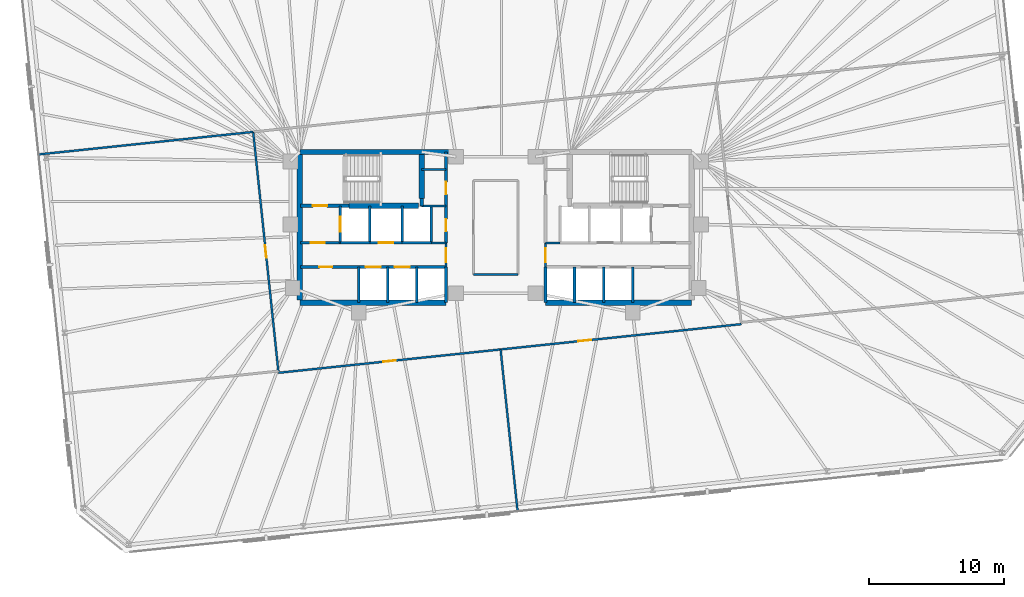
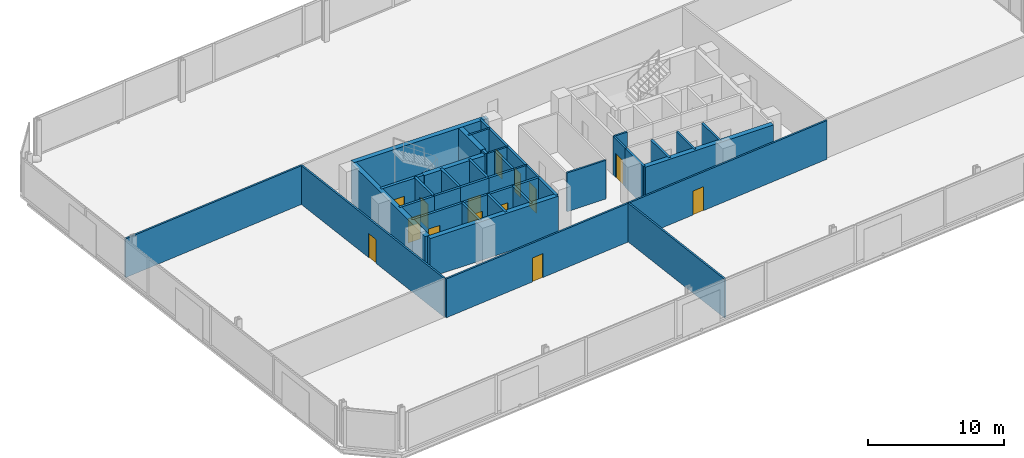
# One storey, part 14 of 17: 38 walls, 14 doors, 14 openings.
"""IFC4 building model written with IfcOpenShell, lengths in metres."""

import ifcopenshell
import ifcopenshell.guid

model = None  # the IFC model being written
_history = None  # IfcOwnerHistory: only IFC2X3 demands one
_inside = {}  # id of a spatial element -> (the spatial element, [elements in it])
_under = {}  # id of a project, library or spatial element -> (it, [spatial elements below it])
_declared = {}  # id of a project -> (the project, [libraries it declares])
_typed = {}  # id of a type object -> (the type object, [elements of that type])
_made_of = {}  # id of a material, layer set ... -> (it, [elements and type objects made of it])


def new_model(schema):
    """Start an empty IFC model of exactly this schema.

    Asked for "IFC4X3", IfcOpenShell would pick the latest addendum, in which some entities
    have other attributes; the version numbers below select the first issue.
    IFC2X3 requires an IfcOwnerHistory on every rooted entity: one is made here for all.
    """
    global model, _history
    if schema == "IFC4X3":
        model = ifcopenshell.file(schema_version=(4, 3, 0, 0))
    else:
        model = ifcopenshell.file(schema=schema)
    _inside.clear()
    _under.clear()
    _declared.clear()
    _typed.clear()
    _made_of.clear()
    _history = None
    if model.schema == "IFC2X3":
        org = make("IfcOrganization", Name="unknown")
        user = make(
            "IfcPersonAndOrganization",
            ThePerson=make("IfcPerson", FamilyName="unknown"),
            TheOrganization=org,
        )
        app = make(
            "IfcApplication",
            ApplicationDeveloper=org,
            Version="unknown",
            ApplicationFullName="unknown",
            ApplicationIdentifier="unknown",
        )
        _history = make(
            "IfcOwnerHistory",
            OwningUser=user,
            OwningApplication=app,
            ChangeAction="ADDED",
            CreationDate=0,
        )
    return model


def make(cls, **values):
    """One entity of the class cls with the attributes given. An attribute that is None is left unset."""
    return model.create_entity(
        cls, **{name: value for name, value in values.items() if value is not None}
    )


def rooted(cls, **values):
    """An entity with a GlobalId (a new one), such as an element, a storey or a relation."""
    return make(cls, GlobalId=ifcopenshell.guid.new(), OwnerHistory=_history, **values)


def si_unit(unit_type, name, prefix=None):
    """IfcSIUnit, for example si_unit("LENGTHUNIT", "METRE", prefix="MILLI")."""
    return make("IfcSIUnit", UnitType=unit_type, Prefix=prefix, Name=name)


def assignment(units):
    """IfcUnitAssignment: the units of a project."""
    return None if units is None else make("IfcUnitAssignment", Units=units)


def point(xyz):
    """IfcCartesianPoint."""
    return None if xyz is None else make("IfcCartesianPoint", Coordinates=xyz)


def direction(xyz):
    """IfcDirection."""
    return None if xyz is None else make("IfcDirection", DirectionRatios=xyz)


def frame(location, z_axis=None, x_axis=None):
    """IfcAxis2Placement3D, a coordinate frame: its origin and axes. An axis left out is left unset."""
    return make(
        "IfcAxis2Placement3D",
        Location=point(location),
        Axis=direction(z_axis),
        RefDirection=direction(x_axis),
    )


def frame_2d(location, x_axis=None):
    """IfcAxis2Placement2D, a coordinate frame in the plane: its origin and x axis."""
    return make(
        "IfcAxis2Placement2D", Location=point(location), RefDirection=direction(x_axis)
    )


def origin():
    """The frame at (0, 0, 0) with its axes left unset."""
    return frame((0.0, 0.0, 0.0))


def place(relative_to, where):
    """IfcLocalPlacement: puts the frame where relative to a parent placement (None: the world)."""
    return make(
        "IfcLocalPlacement", PlacementRelTo=relative_to, RelativePlacement=where
    )


def context(
    kind, dimensions, precision=None, world=None, true_north=None, identifier=None
):
    """IfcGeometricRepresentationContext, for example the 3D "Model" context."""
    return make(
        "IfcGeometricRepresentationContext",
        ContextIdentifier=identifier,
        ContextType=kind,
        CoordinateSpaceDimension=dimensions,
        Precision=precision,
        WorldCoordinateSystem=world,
        TrueNorth=true_north,
    )


def subcontext(parent, identifier, kind, view, scale=None):
    """IfcGeometricRepresentationSubContext, for example "Body" below "Model"."""
    return make(
        "IfcGeometricRepresentationSubContext",
        ContextIdentifier=identifier,
        ContextType=kind,
        ParentContext=parent,
        TargetScale=scale,
        TargetView=view,
    )


def project(units=None, contexts=None):
    """IfcProject with its units and contexts."""
    return rooted(
        "IfcProject",
        Name="project",
        RepresentationContexts=contexts,
        UnitsInContext=assignment(units),
    )


def spatial(cls, under=None, at=None, **own):
    """A site, building, storey or space (cls), placed at a placement, below another one or the project."""
    s = rooted(cls, ObjectPlacement=at, **own)
    if under is not None:
        _under.setdefault(under.id(), (under, []))[1].append(s)
    return s


def profile(cls, at=None, kind="AREA", **sizes):
    """A parametric profile (cls). Its sizes go by their IFC names, for example OverallWidth=200.0."""
    return make(cls, ProfileType=kind, Position=at, **sizes)


def rectangle(**sizes):
    """IfcRectangleProfileDef."""
    return profile("IfcRectangleProfileDef", **sizes)


def extrude(swept, where, along, depth):
    """IfcExtrudedAreaSolid: the profile swept, set in the frame where, extruded along a direction by depth."""
    return make(
        "IfcExtrudedAreaSolid",
        SweptArea=swept,
        Position=where,
        ExtrudedDirection=direction(along),
        Depth=depth,
    )


def shape(context_of_items, identifier, shape_type, items):
    """IfcShapeRepresentation: the items that make up one representation, for example the "Body"."""
    return make(
        "IfcShapeRepresentation",
        ContextOfItems=context_of_items,
        RepresentationIdentifier=identifier,
        RepresentationType=shape_type,
        Items=items,
    )


def material(Name=None, Category=None):
    """IfcMaterial."""
    return make("IfcMaterial", Name=Name, Category=Category)


def layer(
    of_material, thickness, ventilated=None, Name=None, Category=None, Priority=None
):
    """IfcMaterialLayer: one layer of a wall or slab, of a material (None: an air gap)."""
    return make(
        "IfcMaterialLayer",
        Material=of_material,
        LayerThickness=thickness,
        IsVentilated=ventilated,
        Name=Name,
        Category=Category,
        Priority=Priority,
    )


def layer_set(layers, Name=None):
    """IfcMaterialLayerSet."""
    return make("IfcMaterialLayerSet", MaterialLayers=layers, LayerSetName=Name)


def made_of(thing, what):
    """Note that an element or type object is made of a material, layer set ...; save() writes the relation."""
    if what is not None:
        _made_of.setdefault(what.id(), (what, []))[1].append(thing)
    return thing


def type_object(cls, material=None, **own):
    """A type object (cls), such as IfcWallType, which elements share."""
    return made_of(rooted(cls, **own), material)


def element(
    cls,
    number,
    at=None,
    inside=None,
    cuts=None,
    type_object=None,
    material=None,
    context=None,
    identifier="Body",
    shape_type=None,
    held_by="IfcProductDefinitionShape",
    body=None,
    shapes=None,
    **own,
):
    """One element of the class cls, such as IfcWall. Its Tag is "e" and its number.

    at: its placement. inside: the storey or other place that contains it. cuts: it is an
    opening in that element (IfcRelVoidsElement). A single representation is given by context,
    identifier, shape_type and body (its items); several are given by shapes. held_by: the class
    of the entity that holds the representations. save() writes the other relations.
    """
    e = rooted(cls, Tag="e%d" % number, ObjectPlacement=at, **own)
    if body is not None:
        shapes = [shape(context, identifier, shape_type, body)]
    if shapes is not None:
        e.Representation = make(held_by, Representations=shapes)
    if inside is not None:
        _inside.setdefault(inside.id(), (inside, []))[1].append(e)
    if cuts is not None:
        rooted(
            "IfcRelVoidsElement", RelatingBuildingElement=cuts, RelatedOpeningElement=e
        )
    if type_object is not None:
        _typed.setdefault(type_object.id(), (type_object, []))[1].append(e)
    return made_of(e, material)


def fill(opening, filler):
    """IfcRelFillsElement: the door or window that sits in an opening."""
    return rooted(
        "IfcRelFillsElement",
        RelatingOpeningElement=opening,
        RelatedBuildingElement=filler,
    )


def aggregate(whole, parts):
    """IfcRelAggregates: a whole, such as a stair, and the parts it consists of."""
    return rooted("IfcRelAggregates", RelatingObject=whole, RelatedObjects=parts)


def save(model, path):
    """Write the relations noted so far, then the file.

    IfcRelAggregates (storeys below a building ...), IfcRelContainedInSpatialStructure (elements
    in a storey), IfcRelDefinesByType, IfcRelAssociatesMaterial and IfcRelDeclares: one each for
    every whole, place, type object, material and project.
    """
    for whole, parts in _under.values():
        aggregate(whole, parts)
    for where, things in _inside.values():
        rooted(
            "IfcRelContainedInSpatialStructure",
            RelatedElements=things,
            RelatingStructure=where,
        )
    for kind, things in _typed.values():
        rooted("IfcRelDefinesByType", RelatedObjects=things, RelatingType=kind)
    for what, things in _made_of.values():
        rooted("IfcRelAssociatesMaterial", RelatedObjects=things, RelatingMaterial=what)
    for by, libraries in _declared.values():
        rooted("IfcRelDeclares", RelatingContext=by, RelatedDefinitions=libraries)
    model.write(path)


model = new_model("IFC4")

# Units and contexts
model_context = context("Model", 3, precision=1e-05, world=origin(), true_north=direction((0.0, 1.0)))
body_context = subcontext(model_context, "Body", "Model", "MODEL_VIEW")
ifc_project = project(units=[si_unit("LENGTHUNIT", "METRE"), si_unit("AREAUNIT", "SQUARE_METRE"), si_unit("VOLUMEUNIT", "CUBIC_METRE"), si_unit("PLANEANGLEUNIT", "RADIAN"), si_unit("MASSUNIT", "GRAM", prefix="KILO")], contexts=[model_context])

# Site, building, storey
site_placement = place(None, origin())
site = spatial("IfcSite", under=ifc_project, at=site_placement, CompositionType="ELEMENT")
building_placement = place(site_placement, origin())
building = spatial("IfcBuilding", under=site, at=building_placement, Name="Menara Jurai Vektor", CompositionType="ELEMENT")
storey_placement = place(building_placement, frame((0.0, 0.0, 109.60009765625)))
storey = spatial("IfcBuildingStorey", under=building, at=storey_placement, Name="L27", CompositionType="ELEMENT", Elevation=109.60009765625)

# Wall, opening, door
ifc_material_1 = material(Name="Concrete C40/50", Category="concrete")
ifc_layer_1 = layer(ifc_material_1, 0.25)
ifc_layer_set_1 = layer_set([ifc_layer_1], Name="Concrete C40/50")
wall_type_1 = type_object("IfcWallType", Name="INT-WALL-CORE-250", PredefinedType="STANDARD", material=ifc_layer_set_1)
wall_1_placement = place(storey_placement, frame((-14.5, 1.60009765625, 0.0), z_axis=(0.0, 0.0, 1.0), x_axis=(1.0, 0.0, 0.0)))
wall_1 = element("IfcWall", 1, at=wall_1_placement, inside=storey, type_object=wall_type_1, Name="Interior Wall IW-250 L27", PredefinedType="STANDARD", context=body_context, shape_type="SweptSolid", body=[
    extrude(rectangle(XDim=3.60009765625, YDim=0.25, at=frame_2d((1.800048828125, 0.0))), origin(), (0.0, 0.0, 1.0), 3.474853515625),
])
opening_1_placement = place(wall_1_placement, frame((0.919921875, 0.0, 0.0)))
opening_1 = element("IfcOpeningElement", 2, at=opening_1_placement, cuts=wall_1, Name="Opening D-L27-ST1", PredefinedType="OPENING", context=body_context, shape_type="SweptSolid", body=[
    extrude(rectangle(XDim=1.050048828125, YDim=2.14990234375, at=frame_2d((0.52490234375, 1.074951171875))), frame((0.0, 0.135009765625, 0.0), z_axis=(0.0, -1.0, 0.0), x_axis=(1.0, 0.0, 0.0)), (0.0, 0.0, 1.0), 0.27001953125),
])
ifc_material_2 = material(Name="Fire-Rated Steel Door", Category="steel")
door_type_1 = type_object("IfcDoorType", Name="DR-STAIR-1050", OperationType="NOTDEFINED", PredefinedType="DOOR", material=ifc_material_2)
door_1_placement = place(opening_1_placement, origin())
door_1 = element("IfcDoor", 3, at=door_1_placement, inside=storey, type_object=door_type_1, Name="Exit Stair ST1 Door L27", OperationType="SINGLE_SWING_RIGHT", OverallHeight=2.14990234375, OverallWidth=1.050048828125, PredefinedType="DOOR", context=body_context, shape_type="SweptSolid", body=[
    extrude(rectangle(XDim=1.050048828125, YDim=2.14990234375, at=frame_2d((0.52490234375, 1.074951171875))), frame((0.0, 0.02490234375, 0.0), z_axis=(0.0, -1.0, 0.0), x_axis=(1.0, 0.0, 0.0)), (0.0, 0.0, 1.0), 0.050048828125),
])
fill(opening_1, door_1)

# Wall
wall_2_placement = place(storey_placement, frame((-5.5, 1.60009765625, 0.0), z_axis=(0.0, 0.0, 1.0), x_axis=(0.0, 1.0, 0.0)))
element("IfcWall", 4, at=wall_2_placement, inside=storey, type_object=wall_type_1, Name="Interior Wall IW-250 L27", PredefinedType="STANDARD", context=body_context, shape_type="SweptSolid", body=[
    extrude(rectangle(XDim=0.5498046875, YDim=0.25, at=frame_2d((0.27490234375, 0.0))), origin(), (0.0, 0.0, 1.0), 3.474853515625),
])

# Wall, opening, door
wall_3_placement = place(storey_placement, frame((-11.550048828125, -1.14990234375, 0.0), z_axis=(0.0, 0.0, 1.0), x_axis=(0.0, 1.0, 0.0)))
wall_3 = element("IfcWall", 5, at=wall_3_placement, inside=storey, type_object=wall_type_1, Name="Interior Wall IW-250 L27", PredefinedType="STANDARD", context=body_context, shape_type="SweptSolid", body=[
    extrude(rectangle(XDim=2.75, YDim=0.199951171875, at=frame_2d((1.375, 0.0))), origin(), (0.0, 0.0, 1.0), 3.474853515625),
])
opening_2_placement = place(wall_3_placement, frame((0.824951171875, 0.0, 0.0)))
opening_2 = element("IfcOpeningElement", 6, at=opening_2_placement, cuts=wall_3, Name="Opening LD-L27-FL1", PredefinedType="OPENING", context=body_context, shape_type="SweptSolid", body=[
    extrude(rectangle(XDim=1.10009765625, YDim=2.14990234375, at=frame_2d((0.550048828125, 1.074951171875))), frame((0.0, 0.10986328125, 0.0), z_axis=(0.0, -1.0, 0.0), x_axis=(1.0, 0.0, 0.0)), (0.0, 0.0, 1.0), 0.219970703125),
])
ifc_material_3 = material(Name="Stainless Steel Sliding Lift Landing Door", Category="steel")
door_type_2 = type_object("IfcDoorType", Name="DR-LIFT-FIRE-1100", OperationType="NOTDEFINED", PredefinedType="DOOR", material=ifc_material_3)
door_2_placement = place(opening_2_placement, origin())
door_2 = element("IfcDoor", 7, at=door_2_placement, inside=storey, type_object=door_type_2, Name="Lift Landing Door FL1 L27", OperationType="SLIDING_TO_RIGHT", OverallHeight=2.14990234375, OverallWidth=1.10009765625, PredefinedType="DOOR", context=body_context, shape_type="SweptSolid", body=[
    extrude(rectangle(XDim=1.10009765625, YDim=2.14990234375, at=frame_2d((0.550048828125, 1.074951171875))), frame((0.0, 0.02490234375, 0.0), z_axis=(0.0, -1.0, 0.0), x_axis=(1.0, 0.0, 0.0)), (0.0, 0.0, 1.0), 0.050048828125),
])
fill(opening_2, door_2)

# Wall
wall_4_placement = place(storey_placement, frame((-9.35009765625, -1.14990234375, 0.0), z_axis=(0.0, 0.0, 1.0), x_axis=(0.0, 1.0, 0.0)))
element("IfcWall", 8, at=wall_4_placement, inside=storey, type_object=wall_type_1, Name="Interior Wall IW-250 L27", PredefinedType="STANDARD", context=body_context, shape_type="SweptSolid", body=[
    extrude(rectangle(XDim=2.75, YDim=0.199951171875, at=frame_2d((1.375, 0.0))), origin(), (0.0, 0.0, 1.0), 3.474853515625),
])

# Wall, opening, door
wall_5_placement = place(storey_placement, frame((-14.5, -1.14990234375, 0.0), z_axis=(0.0, 0.0, 1.0), x_axis=(1.0, 0.0, 0.0)))
wall_5 = element("IfcWall", 9, at=wall_5_placement, inside=storey, type_object=wall_type_1, Name="Interior Wall IW-250 L27", PredefinedType="STANDARD", context=body_context, shape_type="SweptSolid", body=[
    extrude(rectangle(XDim=2.949951171875, YDim=0.199951171875, at=frame_2d((1.47509765625, 0.0))), origin(), (0.0, 0.0, 1.0), 3.474853515625),
])
opening_3_placement = place(wall_5_placement, frame((0.75, 0.0, 0.0)))
opening_3 = element("IfcOpeningElement", 10, at=opening_3_placement, cuts=wall_5, Name="Opening D-L27-FFW", PredefinedType="OPENING", context=body_context, shape_type="SweptSolid", body=[
    extrude(rectangle(XDim=1.050048828125, YDim=2.179931640625, at=frame_2d((0.52490234375, 1.08984375))), frame((0.0, 0.10986328125, 0.0), z_axis=(0.0, -1.0, 0.0), x_axis=(1.0, 0.0, 0.0)), (0.0, 0.0, 1.0), 0.219970703125),
])
ifc_material_4 = material(Name="Fire-Rated Timber Door", Category="wood")
door_type_3 = type_object("IfcDoorType", Name="DR-LOBBY-1050", OperationType="NOTDEFINED", PredefinedType="DOOR", material=ifc_material_4)
door_3_placement = place(opening_3_placement, origin())
door_3 = element("IfcDoor", 11, at=door_3_placement, inside=storey, type_object=door_type_3, Name="Fire Lift Lobby Door W L27", OperationType="SINGLE_SWING_RIGHT", OverallHeight=2.179931640625, OverallWidth=1.050048828125, PredefinedType="DOOR", context=body_context, shape_type="SweptSolid", body=[
    extrude(rectangle(XDim=1.050048828125, YDim=2.179931640625, at=frame_2d((0.52490234375, 1.08984375))), frame((0.0, 0.02490234375, 0.0), z_axis=(0.0, -1.0, 0.0), x_axis=(1.0, 0.0, 0.0)), (0.0, 0.0, 1.0), 0.050048828125),
])
fill(opening_3, door_3)

# Wall
wall_6_placement = place(storey_placement, frame((-11.550048828125, -1.14990234375, 0.0), z_axis=(0.0, 0.0, 1.0), x_axis=(1.0, 0.0, 0.0)))
element("IfcWall", 12, at=wall_6_placement, inside=storey, type_object=wall_type_1, Name="Interior Wall IW-250 L27", PredefinedType="STANDARD", context=body_context, shape_type="SweptSolid", body=[
    extrude(rectangle(XDim=2.199951171875, YDim=0.199951171875, at=frame_2d((1.10009765625, 0.0))), origin(), (0.0, 0.0, 1.0), 3.474853515625),
])

# Wall, opening, door
ifc_material_5 = material(Name="Gypsum Fireboard Partition", Category="gypsum")
ifc_layer_2 = layer(ifc_material_5, 0.14990234375)
ifc_layer_set_2 = layer_set([ifc_layer_2], Name="Gypsum Fireboard Partition")
wall_type_2 = type_object("IfcWallType", Name="INT-WALL-CORR-150", PredefinedType="PARTITIONING", material=ifc_layer_set_2)
wall_7_placement = place(storey_placement, frame((-3.699951171875, -2.949951171875, 0.0), z_axis=(0.0, 0.0, 1.0), x_axis=(0.0, 1.0, 0.0)))
wall_7 = element("IfcWall", 13, at=wall_7_placement, inside=storey, type_object=wall_type_2, Name="Interior Wall IW-150 L27", PredefinedType="PARTITIONING", context=body_context, shape_type="SweptSolid", body=[
    extrude(rectangle(XDim=1.800048828125, YDim=0.14990234375, at=frame_2d((0.89990234375, 0.0))), origin(), (0.0, 0.0, 1.0), 3.474853515625),
])
opening_4_placement = place(wall_7_placement, frame((0.35009765625, 0.0, 0.0)))
opening_4 = element("IfcOpeningElement", 14, at=opening_4_placement, cuts=wall_7, Name="Opening D-L27-LLW", PredefinedType="OPENING", context=body_context, shape_type="SweptSolid", body=[
    extrude(rectangle(XDim=1.050048828125, YDim=2.179931640625, at=frame_2d((0.52490234375, 1.08984375))), frame((0.0, 0.0849609375, 0.0), z_axis=(0.0, -1.0, 0.0), x_axis=(1.0, 0.0, 0.0)), (0.0, 0.0, 1.0), 0.169921875),
])
door_4_placement = place(opening_4_placement, origin())
door_4 = element("IfcDoor", 15, at=door_4_placement, inside=storey, type_object=door_type_3, Name="Lift Lobby Corridor Door W L27", OperationType="SINGLE_SWING_LEFT", OverallHeight=2.179931640625, OverallWidth=1.050048828125, PredefinedType="DOOR", context=body_context, shape_type="SweptSolid", body=[
    extrude(rectangle(XDim=1.050048828125, YDim=2.179931640625, at=frame_2d((0.52490234375, 1.08984375))), frame((0.0, 0.02490234375, 0.0), z_axis=(0.0, -1.0, 0.0), x_axis=(1.0, 0.0, 0.0)), (0.0, 0.0, 1.0), 0.050048828125),
])
fill(opening_4, door_4)

# Wall
wall_8_placement = place(storey_placement, frame((-4.7900390625, -1.14990234375, 0.0), z_axis=(0.0, 0.0, 1.0), x_axis=(1.0, 0.0, 0.0)))
element("IfcWall", 16, at=wall_8_placement, inside=storey, type_object=wall_type_2, Name="Interior Wall IW-150 L27", PredefinedType="PARTITIONING", context=body_context, shape_type="SweptSolid", body=[
    extrude(rectangle(XDim=1.090087890625, YDim=0.14990234375, at=frame_2d((0.544921875, 0.0))), origin(), (0.0, 0.0, 1.0), 3.474853515625),
])

# Wall, opening, door
wall_9_placement = place(storey_placement, frame((3.699951171875, -2.949951171875, 0.0), z_axis=(0.0, 0.0, 1.0), x_axis=(0.0, 1.0, 0.0)))
wall_9 = element("IfcWall", 17, at=wall_9_placement, inside=storey, type_object=wall_type_2, Name="Interior Wall IW-150 L27", PredefinedType="PARTITIONING", context=body_context, shape_type="SweptSolid", body=[
    extrude(rectangle(XDim=1.800048828125, YDim=0.14990234375, at=frame_2d((0.89990234375, 0.0))), origin(), (0.0, 0.0, 1.0), 3.474853515625),
])
opening_5_placement = place(wall_9_placement, frame((0.35009765625, 0.0, 0.0)))
opening_5 = element("IfcOpeningElement", 18, at=opening_5_placement, cuts=wall_9, Name="Opening D-L27-LLE", PredefinedType="OPENING", context=body_context, shape_type="SweptSolid", body=[
    extrude(rectangle(XDim=1.050048828125, YDim=2.179931640625, at=frame_2d((0.52490234375, 1.08984375))), frame((0.0, 0.0849609375, 0.0), z_axis=(0.0, -1.0, 0.0), x_axis=(1.0, 0.0, 0.0)), (0.0, 0.0, 1.0), 0.169921875),
])
door_5_placement = place(opening_5_placement, frame((1.050048828125, 0.0, 0.0), z_axis=(0.0, 0.0, 1.0), x_axis=(-1.0, 0.0, 0.0)))
door_5 = element("IfcDoor", 19, at=door_5_placement, inside=storey, type_object=door_type_3, Name="Lift Lobby Corridor Door E L27", OperationType="SINGLE_SWING_RIGHT", OverallHeight=2.179931640625, OverallWidth=1.050048828125, PredefinedType="DOOR", context=body_context, shape_type="SweptSolid", body=[
    extrude(rectangle(XDim=1.050048828125, YDim=2.179931640625, at=frame_2d((0.52490234375, 1.08984375))), frame((0.0, 0.02490234375, 0.0), z_axis=(0.0, -1.0, 0.0), x_axis=(1.0, 0.0, 0.0)), (0.0, 0.0, 1.0), 0.050048828125),
])
fill(opening_5, door_5)

# Walls
wall_10_placement = place(storey_placement, frame((3.699951171875, -1.14990234375, 0.0), z_axis=(0.0, 0.0, 1.0), x_axis=(1.0, 0.0, 0.0)))
element("IfcWall", 20, at=wall_10_placement, inside=storey, type_object=wall_type_2, Name="Interior Wall IW-150 L27", PredefinedType="PARTITIONING", context=body_context, shape_type="SweptSolid", body=[
    extrude(rectangle(XDim=1.090087890625, YDim=0.14990234375, at=frame_2d((0.544921875, 0.0))), origin(), (0.0, 0.0, 1.0), 3.474853515625),
])
for number, where, z_axis, x_axis, name in (
    (21, (-5.5, 4.300048828125, 0.0), (0.0, 0.0, 1.0), (1.0, 0.0, 0.0), "Interior Wall IW-150 L27"),
    (22, (-5.5, 1.60009765625, 0.0), (0.0, 0.0, 1.0), (1.0, 0.0, 0.0), "Interior Wall IW-150 L27"),
):
    element("IfcWall", number, at=place(storey_placement, frame(where, z_axis=z_axis, x_axis=x_axis)), inside=storey, type_object=wall_type_2, Name=name, PredefinedType="PARTITIONING", context=body_context, shape_type="SweptSolid", body=[
        extrude(rectangle(XDim=1.800048828125, YDim=0.14990234375, at=frame_2d((0.89990234375, 0.0))), origin(), (0.0, 0.0, 1.0), 3.474853515625),
    ])
wall_11_placement = place(storey_placement, frame((-1.649658203125, -3.490478515625, 0.0), z_axis=(0.0, 0.0, 1.0), x_axis=(1.0, 0.0, 0.0)))
element("IfcWall", 23, at=wall_11_placement, inside=storey, type_object=wall_type_2, Name="Interior Wall IW-150 L27", PredefinedType="PARTITIONING", context=body_context, shape_type="SweptSolid", body=[
    extrude(rectangle(XDim=3.300048828125, YDim=0.14990234375, at=frame_2d((1.64990234375, 0.0))), origin(), (0.0, 0.0, 1.0), 3.474853515625),
])

# Wall, opening, door
wall_12_placement = place(storey_placement, frame((-16.139892578125, -10.80908203125, 0.0), z_axis=(0.0, 0.0, 1.0), x_axis=(0.994521566569, 0.104531591539, 0.0)))
wall_12 = element("IfcWall", 24, at=wall_12_placement, inside=storey, type_object=wall_type_2, Name="Interior Wall IW-150 L27", PredefinedType="PARTITIONING", context=body_context, shape_type="SweptSolid", body=[
    extrude(rectangle(XDim=16.591796875, YDim=0.14990234375, at=frame_2d((8.2958984375, 0.0))), origin(), (0.0, 0.0, 1.0), 3.474853515625),
])
opening_6_placement = place(wall_12_placement, frame((7.821044921875, 0.0, 0.0)))
opening_6 = element("IfcOpeningElement", 25, at=opening_6_placement, cuts=wall_12, Name="Opening D27-08", PredefinedType="OPENING", context=body_context, shape_type="SweptSolid", body=[
    extrude(rectangle(XDim=0.949951171875, YDim=2.14990234375, at=frame_2d((0.47509765625, 1.074951171875))), frame((0.0, 0.0849609375, 0.0), z_axis=(0.0, -1.0, 0.0), x_axis=(1.0, 0.0, 0.0)), (0.0, 0.0, 1.0), 0.169921875),
])
ifc_material_6 = material(Name="Solid Core Timber Fire Door", Category="wood")
door_type_4 = type_object("IfcDoorType", Name="DR-ENTRY-950", OperationType="NOTDEFINED", PredefinedType="DOOR", material=ifc_material_6)
door_6_placement = place(opening_6_placement, origin())
door_6 = element("IfcDoor", 26, at=door_6_placement, inside=storey, type_object=door_type_4, Name="Interior Door D27-08", OperationType="SINGLE_SWING_LEFT", OverallHeight=2.14990234375, OverallWidth=0.949951171875, PredefinedType="DOOR", context=body_context, shape_type="SweptSolid", body=[
    extrude(rectangle(XDim=0.949951171875, YDim=2.14990234375, at=frame_2d((0.47509765625, 1.074951171875))), frame((0.0, 0.02490234375, 0.0), z_axis=(0.0, -1.0, 0.0), x_axis=(1.0, 0.0, 0.0)), (0.0, 0.0, 1.0), 0.050048828125),
])
fill(opening_6, door_6)

wall_13_placement = place(storey_placement, frame((0.361083984375, -9.07470703125, 0.0), z_axis=(0.0, 0.0, 1.0), x_axis=(0.994523293042, 0.104515164432, 0.0)))
wall_13 = element("IfcWall", 27, at=wall_13_placement, inside=storey, type_object=wall_type_2, Name="Interior Wall IW-150 L27", PredefinedType="PARTITIONING", context=body_context, shape_type="SweptSolid", body=[
    extrude(rectangle(XDim=17.98193359375, YDim=0.14990234375, at=frame_2d((8.990966796875, 0.0))), origin(), (0.0, 0.0, 1.0), 3.474853515625),
])
opening_7_placement = place(wall_13_placement, frame((5.818603515625, 0.0, 0.0)))
opening_7 = element("IfcOpeningElement", 28, at=opening_7_placement, cuts=wall_13, Name="Opening D27-09", PredefinedType="OPENING", context=body_context, shape_type="SweptSolid", body=[
    extrude(rectangle(XDim=0.949951171875, YDim=2.14990234375, at=frame_2d((0.47509765625, 1.074951171875))), frame((0.0, 0.0849609375, 0.0), z_axis=(0.0, -1.0, 0.0), x_axis=(1.0, 0.0, 0.0)), (0.0, 0.0, 1.0), 0.169921875),
])
door_7_placement = place(opening_7_placement, origin())
door_7 = element("IfcDoor", 29, at=door_7_placement, inside=storey, type_object=door_type_4, Name="Interior Door D27-09", OperationType="SINGLE_SWING_RIGHT", OverallHeight=2.14990234375, OverallWidth=0.949951171875, PredefinedType="DOOR", context=body_context, shape_type="SweptSolid", body=[
    extrude(rectangle(XDim=0.949951171875, YDim=2.14990234375, at=frame_2d((0.47509765625, 1.074951171875))), frame((0.0, 0.02490234375, 0.0), z_axis=(0.0, -1.0, 0.0), x_axis=(1.0, 0.0, 0.0)), (0.0, 0.0, 1.0), 0.050048828125),
])
fill(opening_7, door_7)

wall_14_placement = place(storey_placement, frame((-16.1533203125, -10.681884765625, 0.0), z_axis=(0.0, 0.0, 1.0), x_axis=(-0.104527614588, 0.994521984568, 0.0)))
wall_14 = element("IfcWall", 30, at=wall_14_placement, inside=storey, type_object=wall_type_2, Name="Interior Wall IW-150 L27", PredefinedType="PARTITIONING", context=body_context, shape_type="SweptSolid", body=[
    extrude(rectangle(XDim=17.8701171875, YDim=0.14990234375, at=frame_2d((8.93505859375, 0.0))), origin(), (0.0, 0.0, 1.0), 3.474853515625),
])
opening_8_placement = place(wall_14_placement, frame((8.4599609375, 0.0, 0.0)))
opening_8 = element("IfcOpeningElement", 31, at=opening_8_placement, cuts=wall_14, Name="Opening D27-10", PredefinedType="OPENING", context=body_context, shape_type="SweptSolid", body=[
    extrude(rectangle(XDim=0.949951171875, YDim=2.14990234375, at=frame_2d((0.47509765625, 1.074951171875))), frame((0.0, 0.0849609375, 0.0), z_axis=(0.0, -1.0, 0.0), x_axis=(1.0, 0.0, 0.0)), (0.0, 0.0, 1.0), 0.169921875),
])
door_8_placement = place(opening_8_placement, origin())
door_8 = element("IfcDoor", 32, at=door_8_placement, inside=storey, type_object=door_type_4, Name="Interior Door D27-10", OperationType="SINGLE_SWING_LEFT", OverallHeight=2.14990234375, OverallWidth=0.949951171875, PredefinedType="DOOR", context=body_context, shape_type="SweptSolid", body=[
    extrude(rectangle(XDim=0.949951171875, YDim=2.14990234375, at=frame_2d((0.47509765625, 1.074951171875))), frame((0.0, 0.02490234375, 0.0), z_axis=(0.0, -1.0, 0.0), x_axis=(1.0, 0.0, 0.0)), (0.0, 0.0, 1.0), 0.050048828125),
])
fill(opening_8, door_8)

# Walls
wall_15_placement = place(storey_placement, frame((-33.966552734375, 5.414306640625, 0.0), z_axis=(0.0, 0.0, 1.0), x_axis=(0.994521211213, 0.104534972363, 0.0)))
element("IfcWall", 33, at=wall_15_placement, inside=storey, type_object=wall_type_2, Name="Interior Wall IW-150 L27", PredefinedType="PARTITIONING", context=body_context, shape_type="SweptSolid", body=[
    extrude(rectangle(XDim=16.033203125, YDim=0.14990234375, at=frame_2d((8.0166015625, 0.0))), origin(), (0.0, 0.0, 1.0), 3.474853515625),
])
wall_16_placement = place(storey_placement, frame((1.625, -21.1015625, 0.0), z_axis=(0.0, 0.0, 1.0), x_axis=(-0.104515587229, 0.99452324861, 0.0)))
element("IfcWall", 34, at=wall_16_placement, inside=storey, type_object=wall_type_2, Name="Interior Wall IW-150 L27", PredefinedType="PARTITIONING", context=body_context, shape_type="SweptSolid", body=[
    extrude(rectangle(XDim=12.093017578125, YDim=0.14990234375, at=frame_2d((6.04638671875, 0.0))), origin(), (0.0, 0.0, 1.0), 3.474853515625),
])

# Wall, openings, doors
ifc_layer_3 = layer(ifc_material_1, 0.199951171875)
ifc_layer_set_3 = layer_set([ifc_layer_3], Name="Concrete C40/50")
wall_type_3 = type_object("IfcWallType", Name="INT-WALL-SHAFT-200", PredefinedType="STANDARD", material=ifc_layer_set_3)
wall_17_placement = place(storey_placement, frame((-3.699951171875, -1.14990234375, 0.0), z_axis=(0.0, 0.0, 1.0), x_axis=(0.0, 1.0, 0.0)))
wall_17 = element("IfcWall", 35, at=wall_17_placement, inside=storey, type_object=wall_type_3, Name="Interior Wall IW-200 L27", PredefinedType="STANDARD", context=body_context, shape_type="SweptSolid", body=[
    extrude(rectangle(XDim=6.75, YDim=0.199951171875, at=frame_2d((3.375, 0.0))), origin(), (0.0, 0.0, 1.0), 3.474853515625),
])
opening_9_placement = place(wall_17_placement, frame((3.60009765625, 0.0, 0.0)))
opening_9 = element("IfcOpeningElement", 36, at=opening_9_placement, cuts=wall_17, Name="Opening D27-02", PredefinedType="OPENING", context=body_context, shape_type="SweptSolid", body=[
    extrude(rectangle(XDim=0.919921875, YDim=2.14990234375, at=frame_2d((0.4599609375, 1.074951171875))), frame((0.0, 0.10986328125, 0.0), z_axis=(0.0, -1.0, 0.0), x_axis=(1.0, 0.0, 0.0)), (0.0, 0.0, 1.0), 0.219970703125),
])
opening_10_placement = place(wall_17_placement, frame((0.85009765625, 0.0, 0.0)))
opening_10 = element("IfcOpeningElement", 37, at=opening_10_placement, cuts=wall_17, Name="Opening D27-03", PredefinedType="OPENING", context=body_context, shape_type="SweptSolid", body=[
    extrude(rectangle(XDim=0.89990234375, YDim=2.14990234375, at=frame_2d((0.449951171875, 1.074951171875))), frame((0.0, 0.10986328125, 0.0), z_axis=(0.0, -1.0, 0.0), x_axis=(1.0, 0.0, 0.0)), (0.0, 0.0, 1.0), 0.219970703125),
])
door_9_placement = place(opening_9_placement, origin())
door_9 = element("IfcDoor", 38, at=door_9_placement, inside=storey, type_object=door_type_4, Name="Interior Door D27-02", OperationType="SINGLE_SWING_LEFT", OverallHeight=2.14990234375, OverallWidth=0.919921875, PredefinedType="DOOR", context=body_context, shape_type="SweptSolid", body=[
    extrude(rectangle(XDim=0.919921875, YDim=2.14990234375, at=frame_2d((0.4599609375, 1.074951171875))), frame((0.0, 0.02490234375, 0.0), z_axis=(0.0, -1.0, 0.0), x_axis=(1.0, 0.0, 0.0)), (0.0, 0.0, 1.0), 0.050048828125),
])
fill(opening_9, door_9)
door_10_placement = place(opening_10_placement, origin())
door_10 = element("IfcDoor", 39, at=door_10_placement, inside=storey, type_object=door_type_4, Name="Interior Door D27-03", OperationType="SINGLE_SWING_LEFT", OverallHeight=2.14990234375, OverallWidth=0.89990234375, PredefinedType="DOOR", context=body_context, shape_type="SweptSolid", body=[
    extrude(rectangle(XDim=0.89990234375, YDim=2.14990234375, at=frame_2d((0.449951171875, 1.074951171875))), frame((0.0, 0.02490234375, 0.0), z_axis=(0.0, -1.0, 0.0), x_axis=(1.0, 0.0, 0.0)), (0.0, 0.0, 1.0), 0.050048828125),
])
fill(opening_10, door_10)

# Walls
wall_18_placement = place(storey_placement, frame((-3.699951171875, -5.60009765625, 0.0), z_axis=(0.0, 0.0, 1.0), x_axis=(0.0, 1.0, 0.0)))
element("IfcWall", 40, at=wall_18_placement, inside=storey, type_object=wall_type_3, Name="Interior Wall IW-200 L27", PredefinedType="STANDARD", context=body_context, shape_type="SweptSolid", body=[
    extrude(rectangle(XDim=2.650146484375, YDim=0.199951171875, at=frame_2d((1.3251953125, 0.0))), origin(), (0.0, 0.0, 1.0), 3.474853515625),
])
wall_19_placement = place(storey_placement, frame((-6.949951171875, -1.14990234375, 0.0), z_axis=(0.0, 0.0, 1.0), x_axis=(0.0, 1.0, 0.0)))
element("IfcWall", 41, at=wall_19_placement, inside=storey, type_object=wall_type_3, Name="Interior Wall IW-200 L27", PredefinedType="STANDARD", context=body_context, shape_type="SweptSolid", body=[
    extrude(rectangle(XDim=2.75, YDim=0.199951171875, at=frame_2d((1.375, 0.0))), origin(), (0.0, 0.0, 1.0), 3.474853515625),
])

# Wall, opening, door
wall_20_placement = place(storey_placement, frame((-9.35009765625, -1.14990234375, 0.0), z_axis=(0.0, 0.0, 1.0), x_axis=(1.0, 0.0, 0.0)))
wall_20 = element("IfcWall", 42, at=wall_20_placement, inside=storey, type_object=wall_type_3, Name="Interior Wall IW-200 L27", PredefinedType="STANDARD", context=body_context, shape_type="SweptSolid", body=[
    extrude(rectangle(XDim=2.400146484375, YDim=0.199951171875, at=frame_2d((1.2001953125, 0.0))), origin(), (0.0, 0.0, 1.0), 3.474853515625),
])
opening_11_placement = place(wall_20_placement, frame((0.64990234375, 0.0, 0.0)))
opening_11 = element("IfcOpeningElement", 43, at=opening_11_placement, cuts=wall_20, Name="Opening LD-L27-SVL1", PredefinedType="OPENING", context=body_context, shape_type="SweptSolid", body=[
    extrude(rectangle(XDim=1.10009765625, YDim=2.14990234375, at=frame_2d((0.550048828125, 1.074951171875))), frame((0.0, 0.10986328125, 0.0), z_axis=(0.0, -1.0, 0.0), x_axis=(1.0, 0.0, 0.0)), (0.0, 0.0, 1.0), 0.219970703125),
])
ifc_material_7 = material(Name="Anodised Stainless Sliding Lift Landing Door", Category="steel")
door_type_5 = type_object("IfcDoorType", Name="DR-LIFT-PASS-1100", OperationType="NOTDEFINED", PredefinedType="DOOR", material=ifc_material_7)
door_11_placement = place(opening_11_placement, origin())
door_11 = element("IfcDoor", 44, at=door_11_placement, inside=storey, type_object=door_type_5, Name="Lift Landing Door SVL1 L27", OperationType="SLIDING_TO_RIGHT", OverallHeight=2.14990234375, OverallWidth=1.10009765625, PredefinedType="DOOR", context=body_context, shape_type="SweptSolid", body=[
    extrude(rectangle(XDim=1.10009765625, YDim=2.14990234375, at=frame_2d((0.550048828125, 1.074951171875))), frame((0.0, 0.02490234375, 0.0), z_axis=(0.0, -1.0, 0.0), x_axis=(1.0, 0.0, 0.0)), (0.0, 0.0, 1.0), 0.050048828125),
])
fill(opening_11, door_11)

# Walls
wall_21_placement = place(storey_placement, frame((-4.7900390625, -1.14990234375, 0.0), z_axis=(0.0, 0.0, 1.0), x_axis=(0.0, 1.0, 0.0)))
element("IfcWall", 45, at=wall_21_placement, inside=storey, type_object=wall_type_3, Name="Interior Wall IW-200 L27", PredefinedType="STANDARD", context=body_context, shape_type="SweptSolid", body=[
    extrude(rectangle(XDim=2.75, YDim=0.199951171875, at=frame_2d((1.375, 0.0))), origin(), (0.0, 0.0, 1.0), 3.474853515625),
])
wall_22_placement = place(storey_placement, frame((-6.949951171875, -1.14990234375, 0.0), z_axis=(0.0, 0.0, 1.0), x_axis=(1.0, 0.0, 0.0)))
element("IfcWall", 46, at=wall_22_placement, inside=storey, type_object=wall_type_3, Name="Interior Wall IW-200 L27", PredefinedType="STANDARD", context=body_context, shape_type="SweptSolid", body=[
    extrude(rectangle(XDim=2.159912109375, YDim=0.199951171875, at=frame_2d((1.080078125, 0.0))), origin(), (0.0, 0.0, 1.0), 3.474853515625),
])

# Wall, openings, doors
wall_23_placement = place(storey_placement, frame((-14.5, -2.949951171875, 0.0), z_axis=(0.0, 0.0, 1.0), x_axis=(1.0, 0.0, 0.0)))
wall_23 = element("IfcWall", 47, at=wall_23_placement, inside=storey, type_object=wall_type_3, Name="Interior Wall IW-200 L27", PredefinedType="STANDARD", context=body_context, shape_type="SweptSolid", body=[
    extrude(rectangle(XDim=10.800048828125, YDim=0.199951171875, at=frame_2d((5.39990234375, 0.0))), origin(), (0.0, 0.0, 1.0), 3.474853515625),
])
opening_12_placement = place(wall_23_placement, frame((4.85009765625, 0.0, 0.0)))
opening_12 = element("IfcOpeningElement", 48, at=opening_12_placement, cuts=wall_23, Name="Opening LD-L27-PM1", PredefinedType="OPENING", context=body_context, shape_type="SweptSolid", body=[
    extrude(rectangle(XDim=1.10009765625, YDim=2.14990234375, at=frame_2d((0.550048828125, 1.074951171875))), frame((0.0, 0.10986328125, 0.0), z_axis=(0.0, -1.0, 0.0), x_axis=(1.0, 0.0, 0.0)), (0.0, 0.0, 1.0), 0.219970703125),
])
opening_13_placement = place(wall_23_placement, frame((7.010009765625, 0.0, 0.0)))
opening_13 = element("IfcOpeningElement", 49, at=opening_13_placement, cuts=wall_23, Name="Opening LD-L27-PM2", PredefinedType="OPENING", context=body_context, shape_type="SweptSolid", body=[
    extrude(rectangle(XDim=1.10009765625, YDim=2.14990234375, at=frame_2d((0.550048828125, 1.074951171875))), frame((0.0, 0.10986328125, 0.0), z_axis=(0.0, -1.0, 0.0), x_axis=(1.0, 0.0, 0.0)), (0.0, 0.0, 1.0), 0.219970703125),
])
opening_14_placement = place(wall_23_placement, frame((1.39990234375, 0.0, 0.0)))
opening_14 = element("IfcOpeningElement", 50, at=opening_14_placement, cuts=wall_23, Name="Opening D27-01", PredefinedType="OPENING", context=body_context, shape_type="SweptSolid", body=[
    extrude(rectangle(XDim=0.949951171875, YDim=2.14990234375, at=frame_2d((0.47509765625, 1.074951171875))), frame((0.0, 0.10986328125, 0.0), z_axis=(0.0, -1.0, 0.0), x_axis=(1.0, 0.0, 0.0)), (0.0, 0.0, 1.0), 0.219970703125),
])
door_12_placement = place(opening_14_placement, origin())
door_12 = element("IfcDoor", 51, at=door_12_placement, inside=storey, type_object=door_type_4, Name="Interior Door D27-01", OperationType="SINGLE_SWING_LEFT", OverallHeight=2.14990234375, OverallWidth=0.949951171875, PredefinedType="DOOR", context=body_context, shape_type="SweptSolid", body=[
    extrude(rectangle(XDim=0.949951171875, YDim=2.14990234375, at=frame_2d((0.47509765625, 1.074951171875))), frame((0.0, 0.02490234375, 0.0), z_axis=(0.0, -1.0, 0.0), x_axis=(1.0, 0.0, 0.0)), (0.0, 0.0, 1.0), 0.050048828125),
])
fill(opening_14, door_12)
door_13_placement = place(opening_12_placement, origin())
door_13 = element("IfcDoor", 52, at=door_13_placement, inside=storey, type_object=door_type_5, Name="Lift Landing Door PM1 L27", OperationType="SLIDING_TO_LEFT", OverallHeight=2.14990234375, OverallWidth=1.10009765625, PredefinedType="DOOR", context=body_context, shape_type="SweptSolid", body=[
    extrude(rectangle(XDim=1.10009765625, YDim=2.14990234375, at=frame_2d((0.550048828125, 1.074951171875))), frame((0.0, 0.02490234375, 0.0), z_axis=(0.0, -1.0, 0.0), x_axis=(1.0, 0.0, 0.0)), (0.0, 0.0, 1.0), 0.050048828125),
])
fill(opening_12, door_13)
door_14_placement = place(opening_13_placement, origin())
door_14 = element("IfcDoor", 53, at=door_14_placement, inside=storey, type_object=door_type_5, Name="Lift Landing Door PM2 L27", OperationType="SLIDING_TO_LEFT", OverallHeight=2.14990234375, OverallWidth=1.10009765625, PredefinedType="DOOR", context=body_context, shape_type="SweptSolid", body=[
    extrude(rectangle(XDim=1.10009765625, YDim=2.14990234375, at=frame_2d((0.550048828125, 1.074951171875))), frame((0.0, 0.02490234375, 0.0), z_axis=(0.0, -1.0, 0.0), x_axis=(1.0, 0.0, 0.0)), (0.0, 0.0, 1.0), 0.050048828125),
])
fill(opening_13, door_14)

# Walls
wall_24_placement = place(storey_placement, frame((-5.860107421875, -5.60009765625, 0.0), z_axis=(0.0, 0.0, 1.0), x_axis=(0.0, 1.0, 0.0)))
element("IfcWall", 54, at=wall_24_placement, inside=storey, type_object=wall_type_3, Name="Interior Wall IW-200 L27", PredefinedType="STANDARD", context=body_context, shape_type="SweptSolid", body=[
    extrude(rectangle(XDim=2.650146484375, YDim=0.199951171875, at=frame_2d((1.3251953125, 0.0))), origin(), (0.0, 0.0, 1.0), 3.474853515625),
])
for number, where, z_axis, x_axis, name in (
    (55, (-10.179931640625, -5.60009765625, 0.0), (0.0, 0.0, 1.0), (0.0, 1.0, 0.0), "Interior Wall IW-200 L27"),
    (56, (-8.02001953125, -5.60009765625, 0.0), (0.0, 0.0, 1.0), (0.0, 1.0, 0.0), "Interior Wall IW-200 L27"),
):
    element("IfcWall", number, at=place(storey_placement, frame(where, z_axis=z_axis, x_axis=x_axis)), inside=storey, type_object=wall_type_3, Name=name, PredefinedType="STANDARD", context=body_context, shape_type="SweptSolid", body=[
        extrude(rectangle(XDim=2.650146484375, YDim=0.179931640625, at=frame_2d((1.3251953125, 0.0))), origin(), (0.0, 0.0, 1.0), 3.474853515625),
    ])
for number, where, z_axis, x_axis, name in (
    (57, (3.699951171875, -5.60009765625, 0.0), (0.0, 0.0, 1.0), (0.0, 1.0, 0.0), "Interior Wall IW-200 L27"),
    (58, (5.860107421875, -5.60009765625, 0.0), (0.0, 0.0, 1.0), (0.0, 1.0, 0.0), "Interior Wall IW-200 L27"),
):
    element("IfcWall", number, at=place(storey_placement, frame(where, z_axis=z_axis, x_axis=x_axis)), inside=storey, type_object=wall_type_3, Name=name, PredefinedType="STANDARD", context=body_context, shape_type="SweptSolid", body=[
        extrude(rectangle(XDim=2.650146484375, YDim=0.199951171875, at=frame_2d((1.3251953125, 0.0))), origin(), (0.0, 0.0, 1.0), 3.474853515625),
    ])
for number, where, z_axis, x_axis, name in (
    (59, (10.179931640625, -5.60009765625, 0.0), (0.0, 0.0, 1.0), (0.0, 1.0, 0.0), "Interior Wall IW-200 L27"),
    (60, (8.02001953125, -5.60009765625, 0.0), (0.0, 0.0, 1.0), (0.0, 1.0, 0.0), "Interior Wall IW-200 L27"),
):
    element("IfcWall", number, at=place(storey_placement, frame(where, z_axis=z_axis, x_axis=x_axis)), inside=storey, type_object=wall_type_3, Name=name, PredefinedType="STANDARD", context=body_context, shape_type="SweptSolid", body=[
        extrude(rectangle(XDim=2.650146484375, YDim=0.179931640625, at=frame_2d((1.3251953125, 0.0))), origin(), (0.0, 0.0, 1.0), 3.474853515625),
    ])
ifc_material_8 = material(Name="Concrete C50/60", Category="concrete")
ifc_layer_4 = layer(ifc_material_8, 0.39990234375)
ifc_layer_set_4 = layer_set([ifc_layer_4], Name="Concrete C50/60")
wall_type_4 = type_object("IfcWallType", Name="STR-WALL-CORE400", PredefinedType="SHEAR", material=ifc_layer_set_4)
wall_25_placement = place(storey_placement, frame((-14.56005859375, 5.60009765625, 0.0), z_axis=(0.0, 0.0, 1.0), x_axis=(1.0, 0.0, 0.0)))
element("IfcWall", 61, at=wall_25_placement, inside=storey, type_object=wall_type_4, Name="Core Shear Wall CW-W-N L27", PredefinedType="SHEAR", context=body_context, shape_type="SweptSolid", body=[
    extrude(rectangle(XDim=11.41015625, YDim=0.39990234375, at=frame_2d((5.705078125, 0.0))), origin(), (0.0, 0.0, 1.0), 3.474853515625),
])
wall_26_placement = place(storey_placement, frame((-14.56005859375, -5.60009765625, 0.0), z_axis=(0.0, 0.0, 1.0), x_axis=(1.0, 0.0, 0.0)))
element("IfcWall", 62, at=wall_26_placement, inside=storey, type_object=wall_type_4, Name="Core Shear Wall CW-W-S L27", PredefinedType="SHEAR", context=body_context, shape_type="SweptSolid", body=[
    extrude(rectangle(XDim=10.860107421875, YDim=0.39990234375, at=frame_2d((5.43017578125, 0.0))), origin(), (0.0, 0.0, 1.0), 3.474853515625),
])
wall_27_placement = place(storey_placement, frame((-14.56005859375, -5.39990234375, 0.0), z_axis=(0.0, 0.0, 1.0), x_axis=(0.0, 1.0, 0.0)))
element("IfcWall", 63, at=wall_27_placement, inside=storey, type_object=wall_type_4, Name="Core Shear Wall CW-W-W L27", PredefinedType="SHEAR", context=body_context, shape_type="SweptSolid", body=[
    extrude(rectangle(XDim=10.7998046875, YDim=0.39990234375, at=frame_2d((5.39990234375, 0.0))), origin(), (0.0, 0.0, 1.0), 3.474853515625),
])
wall_28_placement = place(storey_placement, frame((-5.5, 2.14990234375, 0.0), z_axis=(0.0, 0.0, 1.0), x_axis=(0.0, 1.0, 0.0)))
element("IfcWall", 64, at=wall_28_placement, inside=storey, type_object=wall_type_4, Name="Core Shear Wall CW-W-ST L27", PredefinedType="SHEAR", context=body_context, shape_type="SweptSolid", body=[
    extrude(rectangle(XDim=3.25, YDim=0.39990234375, at=frame_2d((1.625, 0.0))), origin(), (0.0, 0.0, 1.0), 3.474853515625),
])
wall_29_placement = place(storey_placement, frame((-10.89990234375, 1.60009765625, 0.0), z_axis=(0.0, 0.0, 1.0), x_axis=(1.0, 0.0, 0.0)))
element("IfcWall", 65, at=wall_29_placement, inside=storey, type_object=wall_type_4, Name="Core Shear Wall CW-W-STS L27", PredefinedType="SHEAR", context=body_context, shape_type="SweptSolid", body=[
    extrude(rectangle(XDim=5.14990234375, YDim=0.39990234375, at=frame_2d((2.574951171875, 0.0))), origin(), (0.0, 0.0, 1.0), 3.474853515625),
])
wall_30_placement = place(storey_placement, frame((3.699951171875, -5.60009765625, 0.0), z_axis=(0.0, 0.0, 1.0), x_axis=(1.0, 0.0, 0.0)))
element("IfcWall", 66, at=wall_30_placement, inside=storey, type_object=wall_type_4, Name="Core Shear Wall CW-E-S L27", PredefinedType="SHEAR", context=body_context, shape_type="SweptSolid", body=[
    extrude(rectangle(XDim=10.860107421875, YDim=0.39990234375, at=frame_2d((5.43017578125, 0.0))), origin(), (0.0, 0.0, 1.0), 3.474853515625),
])

save(model, "model.ifc")
